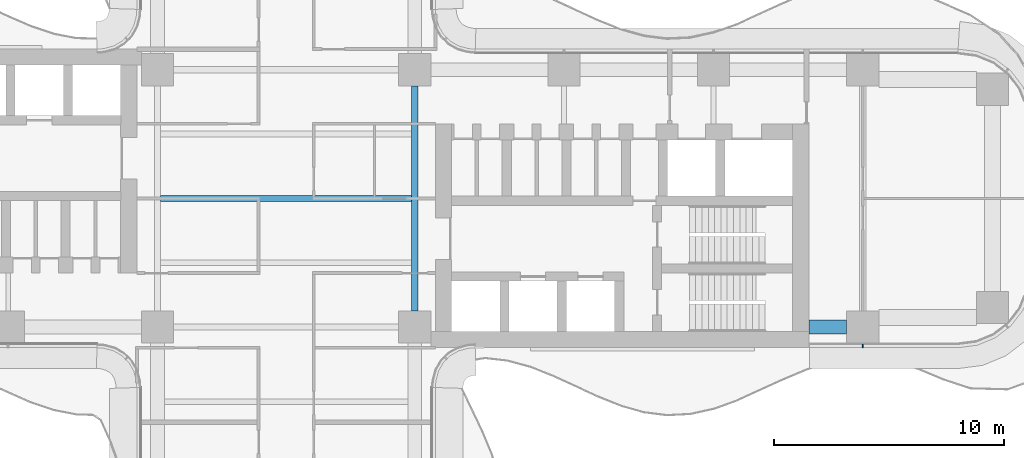
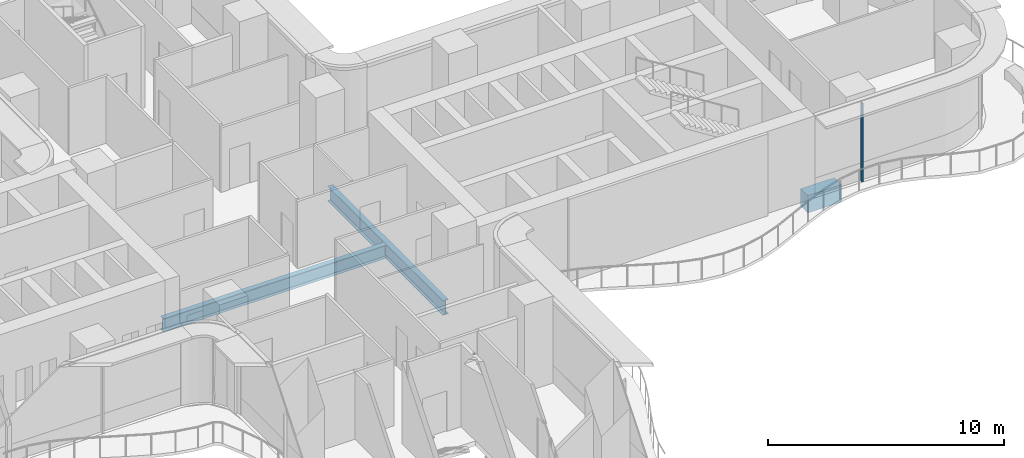
# One storey, part 6 of 22: 3 beams, 1 member, 1 element without a shape of its own.
"""IFC4 building model written with IfcOpenShell, lengths in metres."""

from ifc_helpers import new_model, si_unit, direction, frame, origin, origin_2d, place, context, subcontext, project, spatial, rectangle, i_section, extrude, source, transform, mapped, material, layer, layer_set, material_profile, profile_set, type_object, element, aggregate, save


model = new_model("IFC4")

# Units and contexts
model_context = context("Model", 3, precision=1e-05, world=origin(), true_north=direction((0.0, 1.0)))
body_context = subcontext(model_context, "Body", "Model", "MODEL_VIEW")
ifc_project = project(units=[si_unit("LENGTHUNIT", "METRE"), si_unit("AREAUNIT", "SQUARE_METRE"), si_unit("VOLUMEUNIT", "CUBIC_METRE"), si_unit("PLANEANGLEUNIT", "RADIAN"), si_unit("MASSUNIT", "GRAM", prefix="KILO")], contexts=[model_context])

# Site, building, storey
site_placement = place(None, origin())
site = spatial("IfcSite", under=ifc_project, at=site_placement, CompositionType="ELEMENT")
building_placement = place(site_placement, origin())
building = spatial("IfcBuilding", under=site, at=building_placement, Name="Trellis Farm Tower", CompositionType="ELEMENT")
storey_placement = place(building_placement, frame((0.0, 0.0, 52.0)))
storey = spatial("IfcBuildingStorey", under=building, at=storey_placement, Name="L10", CompositionType="ELEMENT", Elevation=52.0)

# Beams
ifc_material_1 = material(Name="Steel S355", Category="steel")
ifc_material_profile_1 = material_profile(ifc_material_1, i_section(OverallWidth=0.253662109375, OverallDepth=0.68359375, WebThickness=0.012451171875, FlangeThickness=0.021728515625, FilletRadius=0.01513671875, at=origin_2d()), Name="UB 686x254x140")
ifc_profile_set_1 = profile_set([ifc_material_profile_1], Name="Steel S355")
beam_type_1 = type_object("IfcBeamType", Name="UB 686x254x140 joist", PredefinedType="JOIST", material=ifc_profile_set_1)
shared_shape_1 = source(origin(), body_context, "Body", "SweptSolid", [
    extrude(i_section(OverallWidth=0.253662109375, OverallDepth=0.68359375, WebThickness=0.012451171875, FlangeThickness=0.021728515625, FilletRadius=0.01513671875, at=origin_2d()), origin(), (0.0, 0.0, 1.0), 10.93310546875),
])
beam_1_placement = place(storey_placement, frame((-5.466552734375, 0.0, -0.591796875), z_axis=(1.0, 0.0, 0.0), x_axis=(0.0, 1.0, 0.0)))
element("IfcBeam", 1, at=beam_1_placement, inside=storey, type_object=beam_type_1, Name="Floor beam", PredefinedType="JOIST", context=body_context, shape_type="MappedRepresentation", body=[
    mapped(shared_shape_1, transform((0.0, 0.0, 0.0))),
])
ifc_material_profile_2 = material_profile(ifc_material_1, i_section(OverallWidth=0.2666015625, OverallDepth=0.76220703125, WebThickness=0.014404296875, FlangeThickness=0.021484375, FilletRadius=0.0166015625, at=origin_2d()), Name="UB 762x267x173")
ifc_profile_set_2 = profile_set([ifc_material_profile_2], Name="Steel S355")
beam_type_2 = type_object("IfcBeamType", Name="UB 762x267x173", PredefinedType="BEAM", material=ifc_profile_set_2)
shared_shape_2 = source(origin(), body_context, "Body", "SweptSolid", [
    extrude(i_section(OverallWidth=0.2666015625, OverallDepth=0.76220703125, WebThickness=0.014404296875, FlangeThickness=0.021484375, FilletRadius=0.0166015625, at=origin_2d()), origin(), (0.0, 0.0, 1.0), 9.7998046875),
])
beam_2_placement = place(storey_placement, frame((5.60009765625, -4.89990234375, -0.631103515625), z_axis=(0.0, 1.0, 0.0), x_axis=(-1.0, 0.0, 0.0)))
element("IfcBeam", 2, at=beam_2_placement, inside=storey, type_object=beam_type_2, Name="Girder", PredefinedType="BEAM", context=body_context, shape_type="MappedRepresentation", body=[
    mapped(shared_shape_2, transform((0.0, 0.0, 0.0))),
])
ifc_material_2 = material(Name="Concrete C60/75", Category="concrete")
ifc_material_profile_3 = material_profile(ifc_material_2, rectangle(XDim=0.60009765625, YDim=0.89990234375, at=origin_2d()), Name="RC spandrel beam 600x900 C60/75")
ifc_profile_set_3 = profile_set([ifc_material_profile_3], Name="Concrete C60/75")
beam_type_3 = type_object("IfcBeamType", Name="RC spandrel beam 600x900 C60/75", PredefinedType="SPANDREL", material=ifc_profile_set_3)
shared_shape_3 = source(origin(), body_context, "Body", "SweptSolid", [
    extrude(rectangle(XDim=0.60009765625, YDim=0.89990234375, at=origin_2d()), origin(), (0.0, 0.0, 1.0), 1.64990234375),
])
beam_3_placement = place(storey_placement, frame((22.75, -5.60009765625, -0.699951171875), z_axis=(1.0, 0.0, 0.0), x_axis=(0.0, 1.0, 0.0)))
element("IfcBeam", 3, at=beam_3_placement, inside=storey, type_object=beam_type_3, Name="Girder", PredefinedType="SPANDREL", context=body_context, shape_type="MappedRepresentation", body=[
    mapped(shared_shape_3, transform((0.0, 0.0, 0.0))),
])

# Curtain wall, member
ifc_material_3 = material(Name="Aluminium and glass curtain wall", Category="aluminium")
ifc_layer = layer(ifc_material_3, 0.18994140625)
ifc_layer_set = layer_set([ifc_layer], Name="RIBBON CURTAIN WALL CW1")
curtain_wall_type = type_object("IfcCurtainWallType", Name="RIBBON CURTAIN WALL CW1", PredefinedType="NOTDEFINED", material=ifc_layer_set)
curtain_wall_placement = place(storey_placement, origin())
curtain_wall = element("IfcCurtainWall", 4, at=curtain_wall_placement, inside=storey, type_object=curtain_wall_type, Name="CW1 006", PredefinedType="NOTDEFINED")
ifc_material_4 = material(Name="Aluminium extrusion 6063-T6", Category="aluminium")
ifc_material_profile_4 = material_profile(ifc_material_4, rectangle(XDim=0.06005859375, YDim=0.14990234375, at=origin_2d()), Name="MULLION 60x150")
ifc_profile_set_4 = profile_set([ifc_material_profile_4], Name="Aluminium extrusion 6063-T6")
member_type = type_object("IfcMemberType", Name="CW1 MULLION 60x150", PredefinedType="MULLION", material=ifc_profile_set_4)
shared_shape_4 = source(origin(), body_context, "Body", "SweptSolid", [
    extrude(rectangle(XDim=0.06005859375, YDim=0.14990234375, at=origin_2d()), origin(), (0.0, 0.0, 1.0), 4.070068359375),
])
member_placement = place(storey_placement, frame((25.10009765625, -6.425048828125, 0.0), z_axis=(0.0, 0.0, 1.0), x_axis=(1.0, 0.0, 0.0)))
member = element("IfcMember", 5, at=member_placement, type_object=member_type, Name="MU1 006-01", PredefinedType="MULLION", context=body_context, shape_type="MappedRepresentation", body=[
    mapped(shared_shape_4, transform((0.0, 0.0, 0.0))),
])
aggregate(curtain_wall, [member])

save(model, "model.ifc")
